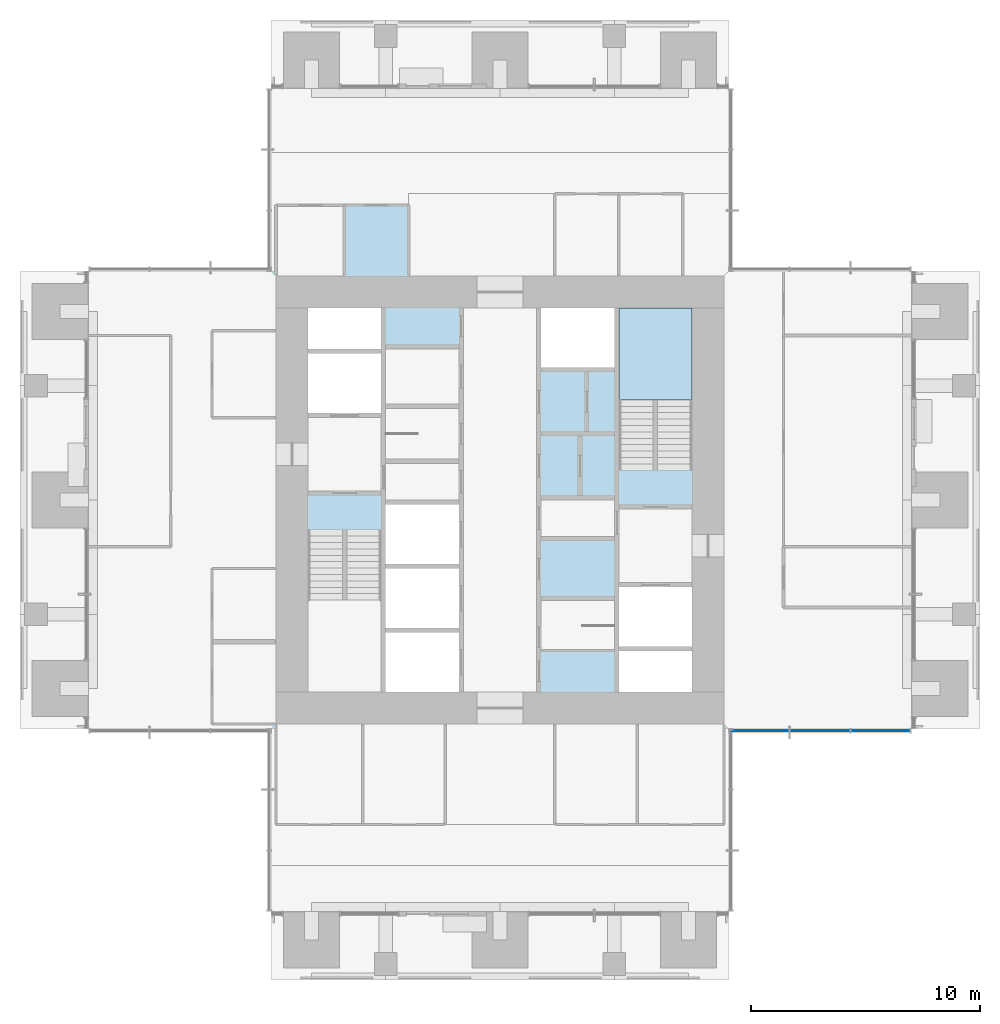
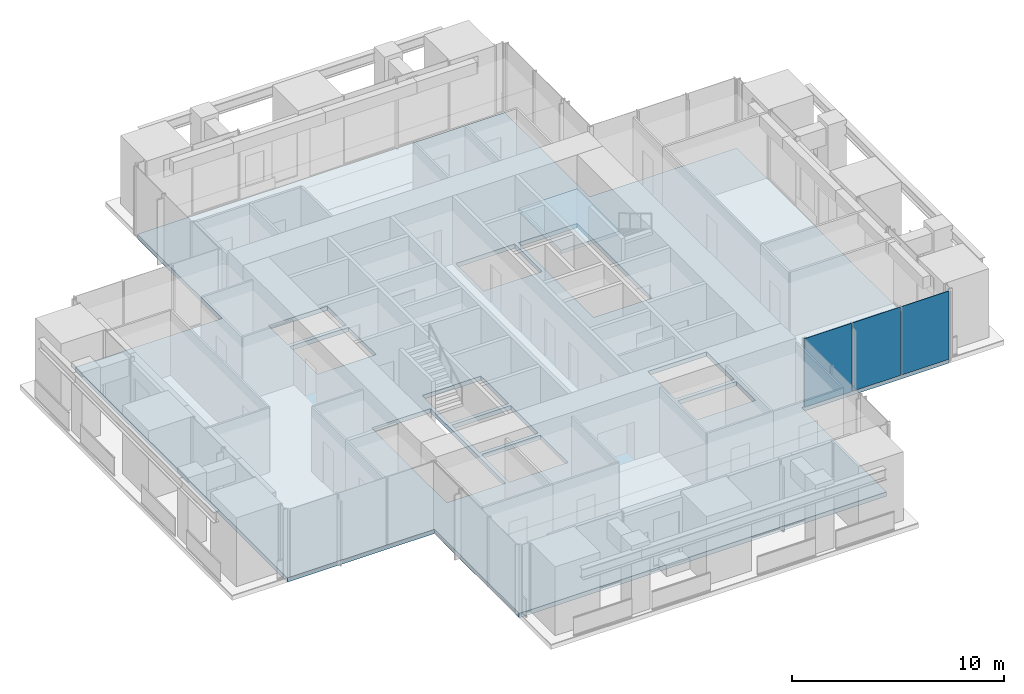
# One storey, part 9 of 17: 3 plates, 2 slabs, 2 elements without a shape of their own.
"""IFC4 building model written with IfcOpenShell, lengths in metres."""

from ifc_helpers import new_model, si_unit, direction, frame, origin, origin_2d, place, context, subcontext, project, spatial, polyline, rectangle, outline, extrude, material, layer, layer_set, type_object, element, aggregate, save


model = new_model("IFC4")

# Units and contexts
model_context = context("Model", 3, precision=1e-05, world=origin(), true_north=direction((0.0, 1.0)))
body_context = subcontext(model_context, "Body", "Model", "MODEL_VIEW")
ifc_project = project(units=[si_unit("LENGTHUNIT", "METRE"), si_unit("AREAUNIT", "SQUARE_METRE"), si_unit("VOLUMEUNIT", "CUBIC_METRE"), si_unit("PLANEANGLEUNIT", "RADIAN"), si_unit("MASSUNIT", "GRAM", prefix="KILO")], contexts=[model_context])

# Site, building, storey
site_placement = place(None, origin())
site = spatial("IfcSite", under=ifc_project, at=site_placement, CompositionType="ELEMENT")
building_placement = place(site_placement, origin())
building = spatial("IfcBuilding", under=site, at=building_placement, Name="Svetlomir Tower", CompositionType="ELEMENT")
storey_placement = place(building_placement, frame((0.0, 0.0, 198.5)))
storey = spatial("IfcBuildingStorey", under=building, at=storey_placement, Name="L47", CompositionType="ELEMENT", Elevation=198.5)

# Curtain wall, plates
ifc_material_1 = material(Name="Bronze anodised aluminium curtain wall", Category="aluminium")
curtain_wall_type = type_object("IfcCurtainWallType", Name="CURTAIN WALL CW1 TOWER OFFICE", PredefinedType="NOTDEFINED", material=ifc_material_1)
curtain_wall_placement = place(storey_placement, origin())
curtain_wall = element("IfcCurtainWall", 1, at=curtain_wall_placement, inside=storey, type_object=curtain_wall_type, Name="Curtain wall CW1 L47", PredefinedType="NOTDEFINED")
ifc_material_2 = material(Name="Tinted double glazed unit", Category="glass")
ifc_layer_1 = layer(ifc_material_2, 0.031982421875)
ifc_layer_set_1 = layer_set([ifc_layer_1], Name="Tinted double glazed unit")
plate_type = type_object("IfcPlateType", Name="CW1 GLAZED PANEL 32", PredefinedType="CURTAIN_PANEL", material=ifc_layer_set_1)
plate_1_placement = place(storey_placement, frame((32.349609375, 10.89990234375, 0.06494140625), z_axis=(0.0, 0.0, 1.0), x_axis=(1.0, 0.0, 0.0)))
plate_1 = element("IfcPlate", 2, at=plate_1_placement, type_object=plate_type, Name="CW1 panel 1.1", PredefinedType="CURTAIN_PANEL", context=body_context, shape_type="SweptSolid", body=[
    extrude(rectangle(XDim=2.569091796875, YDim=0.031982421875, at=origin_2d()), origin(), (0.0, 0.0, 1.0), 3.93505859375),
])
plate_2_placement = place(storey_placement, frame((35.0, 10.89990234375, 0.06494140625), z_axis=(0.0, 0.0, 1.0), x_axis=(1.0, 0.0, 0.0)))
plate_2 = element("IfcPlate", 3, at=plate_2_placement, type_object=plate_type, Name="CW1 panel 2.1", PredefinedType="CURTAIN_PANEL", context=body_context, shape_type="SweptSolid", body=[
    extrude(rectangle(XDim=2.6015625, YDim=0.031982421875, at=origin_2d()), origin(), (0.0, 0.0, 1.0), 3.93505859375),
])
plate_3_placement = place(storey_placement, frame((37.650390625, 10.89990234375, 0.06494140625), z_axis=(0.0, 0.0, 1.0), x_axis=(1.0, 0.0, 0.0)))
plate_3 = element("IfcPlate", 4, at=plate_3_placement, type_object=plate_type, Name="CW1 panel 3.1", PredefinedType="CURTAIN_PANEL", context=body_context, shape_type="SweptSolid", body=[
    extrude(rectangle(XDim=2.569091796875, YDim=0.031982421875, at=origin_2d()), origin(), (0.0, 0.0, 1.0), 3.93505859375),
])
aggregate(curtain_wall, [plate_1, plate_2, plate_3])

# Slab
ifc_material_3 = material(Name="Concrete C60/75", Category="concrete")
ifc_layer_2 = layer(ifc_material_3, 0.25)
ifc_layer_set_2 = layer_set([ifc_layer_2], Name="Concrete C60/75")
slab_type_1 = type_object("IfcSlabType", Name="FLOOR SLAB 250", PredefinedType="FLOOR", material=ifc_layer_set_2)
slab_1_placement = place(storey_placement, frame((0.0, 0.0, -0.25)))
element("IfcSlab", 5, at=slab_1_placement, inside=storey, type_object=slab_type_1, Name="L47 floor slab", PredefinedType="FLOOR", context=body_context, shape_type="SweptSolid", body=[
    extrude(outline(polyline([(11.0, 3.0), (31.0, 3.0), (31.0, 11.0), (39.0, 11.0), (39.0, 31.0), (31.0, 31.0), (31.0, 39.0), (11.0, 39.0), (11.0, 31.0), (3.0, 31.0), (3.0, 11.0), (11.0, 11.0), (11.0, 3.0)]), holes=[polyline([(12.60009765625, 24.800048828125), (15.800048828125, 24.800048828125), (15.800048828125, 27.39990234375), (12.60009765625, 27.39990234375), (12.60009765625, 24.800048828125)]), polyline([(26.199951171875, 14.60009765625), (29.39990234375, 14.60009765625), (29.39990234375, 17.199951171875), (26.199951171875, 17.199951171875), (26.199951171875, 14.60009765625)]), polyline([(16.0, 12.60009765625), (19.199951171875, 12.60009765625), (19.199951171875, 15.199951171875), (16.0, 15.199951171875), (16.0, 12.60009765625)]), polyline([(16.0, 15.39990234375), (19.199951171875, 15.39990234375), (19.199951171875, 18.0), (16.0, 18.0), (16.0, 15.39990234375)]), polyline([(16.0, 18.199951171875), (19.199951171875, 18.199951171875), (19.199951171875, 20.800048828125), (16.0, 20.800048828125), (16.0, 18.199951171875)]), polyline([(22.800048828125, 26.800048828125), (26.0, 26.800048828125), (26.0, 29.39990234375), (22.800048828125, 29.39990234375), (22.800048828125, 26.800048828125)]), polyline([(12.60009765625, 27.60009765625), (15.800048828125, 27.60009765625), (15.800048828125, 29.39990234375), (12.60009765625, 29.39990234375), (12.60009765625, 27.60009765625)]), polyline([(26.199951171875, 12.60009765625), (29.39990234375, 12.60009765625), (29.39990234375, 14.39990234375), (26.199951171875, 14.39990234375), (26.199951171875, 12.60009765625)]), polyline([(12.60009765625, 12.60009765625), (15.800048828125, 12.60009765625), (15.800048828125, 19.679931640625), (12.60009765625, 19.679931640625), (12.60009765625, 12.60009765625)]), polyline([(26.199951171875, 22.320068359375), (29.39990234375, 22.320068359375), (29.39990234375, 29.39990234375), (26.199951171875, 29.39990234375), (26.199951171875, 22.320068359375)])]), origin(), (0.0, 0.0, 1.0), 0.25),
])

# Stair, slab
ifc_material_4 = material(Name="Concrete C60/75", Category="concrete")
stair_type = type_object("IfcStairType", Name="EXIT STAIR 3200 RISE 4000", PredefinedType="HALF_TURN_STAIR", material=ifc_material_4)
stair_placement = place(storey_placement, origin())
stair = element("IfcStair", 6, at=stair_placement, inside=storey, type_object=stair_type, Name="Stair S2 L47 to L48", PredefinedType="HALF_TURN_STAIR")
ifc_material_5 = material(Name="Concrete C60/75", Category="concrete")
ifc_layer_3 = layer(ifc_material_5, 0.199951171875)
ifc_layer_set_3 = layer_set([ifc_layer_3], Name="Concrete C60/75")
slab_type_2 = type_object("IfcSlabType", Name="STAIR LANDING 200", PredefinedType="LANDING", material=ifc_layer_set_3)
slab_2_placement = place(storey_placement, frame((0.0, 0.0, 1.800048828125)))
slab_2 = element("IfcSlab", 7, at=slab_2_placement, type_object=slab_type_2, Name="S2 landing 1", PredefinedType="LANDING", context=body_context, shape_type="SweptSolid", body=[
    extrude(outline(polyline([(26.199951171875, 25.3798828125), (29.39990234375, 25.3798828125), (29.39990234375, 29.39990234375), (26.199951171875, 29.39990234375), (26.199951171875, 25.3798828125)])), origin(), (0.0, 0.0, 1.0), 0.199951171875),
])
aggregate(stair, [slab_2])

save(model, "model.ifc")
